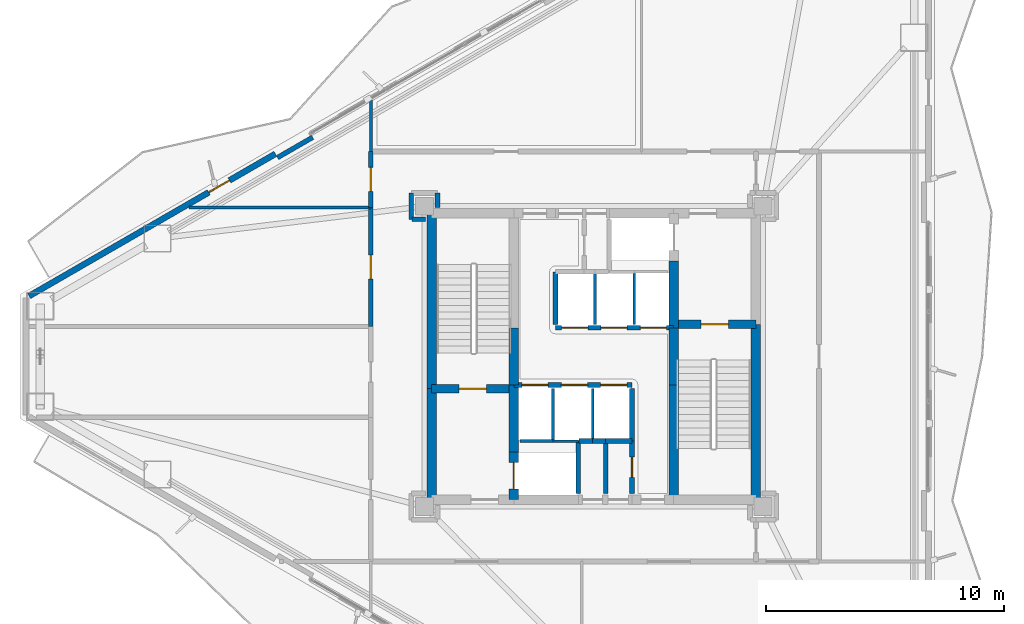
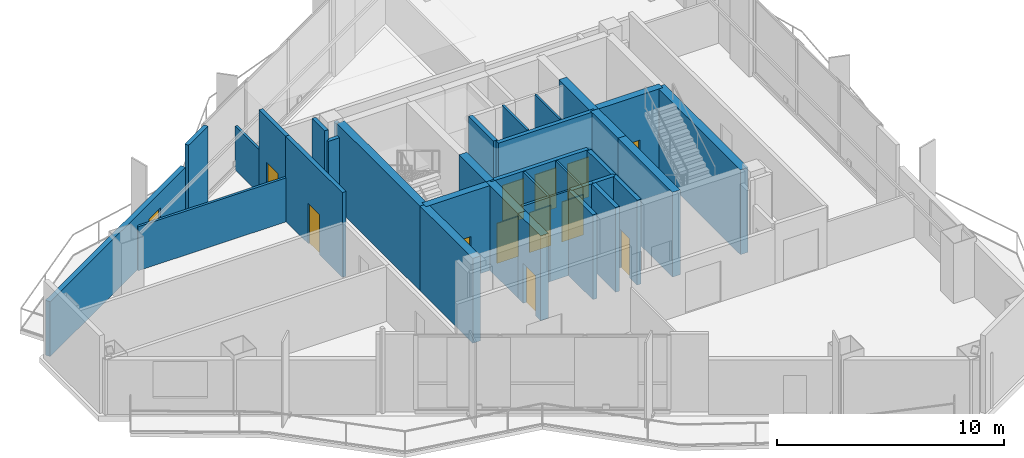
# One storey, part 15 of 20: 36 walls, 13 doors, 13 openings.
"""IFC4 building model written with IfcOpenShell, lengths in metres."""

from ifc_helpers import new_model, si_unit, direction, frame, frame_2d, origin, place, context, subcontext, project, spatial, rectangle, extrude, material, layer, layer_set, type_object, element, fill, save


model = new_model("IFC4")

# Units and contexts
model_context = context("Model", 3, precision=1e-05, world=origin(), true_north=direction((0.0, 1.0)))
body_context = subcontext(model_context, "Body", "Model", "MODEL_VIEW")
ifc_project = project(units=[si_unit("LENGTHUNIT", "METRE"), si_unit("AREAUNIT", "SQUARE_METRE"), si_unit("VOLUMEUNIT", "CUBIC_METRE"), si_unit("PLANEANGLEUNIT", "RADIAN"), si_unit("MASSUNIT", "GRAM", prefix="KILO")], contexts=[model_context])

# Site, building, storey
site_placement = place(None, origin())
site = spatial("IfcSite", under=ifc_project, at=site_placement, CompositionType="ELEMENT")
building_placement = place(site_placement, origin())
building = spatial("IfcBuilding", under=site, at=building_placement, Name="Mersakhor Tower and Convention Hall", CompositionType="ELEMENT")
storey_placement = place(building_placement, frame((0.0, 0.0, 116.39990234375)))
storey = spatial("IfcBuildingStorey", under=building, at=storey_placement, Name="L32", CompositionType="ELEMENT", Elevation=116.39990234375)

# Wall, opening, door
ifc_material_1 = material(Name="Precast concrete C40/50", Category="concrete")
ifc_layer_1 = layer(ifc_material_1, 0.25)
ifc_layer_set_1 = layer_set([ifc_layer_1], Name="Precast concrete C40/50")
wall_type_1 = type_object("IfcWallType", Name="WL-EXT-250", PredefinedType="SOLIDWALL", material=ifc_layer_set_1)
wall_1_placement = place(storey_placement, frame((5.316650390625, 29.2822265625, 0.0), z_axis=(0.0, 0.0, 1.0), x_axis=(0.866023023012, 0.500004123596, 0.0)))
wall_1 = element("IfcWall", 1, at=wall_1_placement, inside=storey, type_object=wall_type_1, Name="L32 Exterior Facade Wall F1-B1", PredefinedType="SOLIDWALL", context=body_context, shape_type="SweptSolid", body=[
    extrude(rectangle(XDim=11.9296875, YDim=0.25, at=frame_2d((5.96484375, 0.0))), origin(), (0.0, 0.0, 1.0), 2.945068359375),
])
opening_1_placement = place(wall_1_placement, frame((8.7041015625, 0.0, 0.0)))
opening_1 = element("IfcOpeningElement", 2, at=opening_1_placement, cuts=wall_1, Name="Opening BD-01", PredefinedType="OPENING", context=body_context, shape_type="SweptSolid", body=[
    extrude(rectangle(XDim=1.0, YDim=2.10009765625, at=frame_2d((0.5, 1.050048828125))), frame((0.0, 0.135009765625, 0.0), z_axis=(0.0, -1.0, 0.0), x_axis=(1.0, 0.0, 0.0)), (0.0, 0.0, 1.0), 0.27001953125),
])
ifc_material_2 = material(Name="Thermally broken dark aluminium and safety glass", Category="aluminium")
door_type_1 = type_object("IfcDoorType", Name="DR-BAL-100x210", OperationType="NOTDEFINED", PredefinedType="DOOR", material=ifc_material_2)
door_1_placement = place(opening_1_placement, origin())
door_1 = element("IfcDoor", 3, at=door_1_placement, inside=storey, type_object=door_type_1, Name="L32 Balcony Terrace Door F1-B1", OperationType="SINGLE_SWING_LEFT", OverallHeight=2.10009765625, OverallWidth=1.0, PredefinedType="DOOR", context=body_context, shape_type="SweptSolid", body=[
    extrude(rectangle(XDim=1.0, YDim=2.10009765625, at=frame_2d((0.5, 1.050048828125))), frame((0.0, 0.02490234375, 0.0), z_axis=(0.0, -1.0, 0.0), x_axis=(1.0, 0.0, 0.0)), (0.0, 0.0, 1.0), 0.050048828125),
])
fill(opening_1, door_1)

# Walls
ifc_material_3 = material(Name="Precast concrete C40/50", Category="concrete")
ifc_layer_2 = layer(ifc_material_3, 0.199951171875)
ifc_layer_set_2 = layer_set([ifc_layer_2], Name="Precast concrete C40/50")
wall_type_2 = type_object("IfcWallType", Name="WL-PAR-200", PredefinedType="PARAPET", material=ifc_layer_set_2)
wall_2_placement = place(storey_placement, frame((15.73779296875, 35.091064453125, 0.0), z_axis=(0.0, 0.0, 1.0), x_axis=(0.866025371046, 0.500000056704, 0.0)))
element("IfcWall", 4, at=wall_2_placement, inside=storey, type_object=wall_type_2, Name="L32 Column Pier Cladding Wall F1-C1", PredefinedType="PARAPET", context=body_context, shape_type="SweptSolid", body=[
    extrude(rectangle(XDim=1.7001953125, YDim=0.199951171875, at=frame_2d((0.85009765625, 0.0))), origin(), (0.0, 0.0, 1.0), 4.18017578125),
])
ifc_material_4 = material(Name="Lightweight gypsum partition", Category="other")
ifc_layer_3 = layer(ifc_material_4, 0.10009765625)
ifc_layer_set_3 = layer_set([ifc_layer_3], Name="Lightweight gypsum partition")
wall_type_3 = type_object("IfcWallType", Name="WL-PRT-100", PredefinedType="PARTITIONING", material=ifc_layer_set_3)
wall_3_placement = place(storey_placement, frame((27.300048828125, 23.199951171875, 0.0), z_axis=(0.0, 0.0, 1.0), x_axis=(1.0, 0.0, 0.0)))
element("IfcWall", 5, at=wall_3_placement, inside=storey, type_object=wall_type_3, Name="L32 Interior Partition Wall P-002", PredefinedType="PARTITIONING", context=body_context, shape_type="SweptSolid", body=[
    extrude(rectangle(XDim=1.050048828125, YDim=0.10009765625, at=frame_2d((0.52490234375, 0.0))), origin(), (0.0, 0.0, 1.0), 4.56005859375),
])
for number, where, z_axis, x_axis, name in (
    (6, (28.949951171875, 25.39990234375, 0.0), (0.0, 0.0, 1.0), (0.0, -1.0, 0.0), "L32 Interior Partition Wall P-008"),
    (7, (30.699951171875, 30.300048828125, 0.0), (0.0, 0.0, 1.0), (0.0, -1.0, 0.0), "L32 Interior Partition Wall P-018"),
):
    element("IfcWall", number, at=place(storey_placement, frame(where, z_axis=z_axis, x_axis=x_axis)), inside=storey, type_object=wall_type_3, Name=name, PredefinedType="PARTITIONING", context=body_context, shape_type="SweptSolid", body=[
        extrude(rectangle(XDim=2.199951171875, YDim=0.10009765625, at=frame_2d((1.10009765625, 0.0))), origin(), (0.0, 0.0, 1.0), 4.56005859375),
    ])
ifc_material_5 = material(Name="Gypsum board acoustic partition", Category="other")
ifc_layer_4 = layer(ifc_material_5, 0.125)
ifc_layer_set_4 = layer_set([ifc_layer_4], Name="Gypsum board acoustic partition")
wall_type_4 = type_object("IfcWallType", Name="WL-PRT-125", PredefinedType="PARTITIONING", material=ifc_layer_set_4)
wall_4_placement = place(storey_placement, frame((25.89990234375, 23.199951171875, 0.0), z_axis=(0.0, 0.0, 1.0), x_axis=(1.0, 0.0, 0.0)))
element("IfcWall", 8, at=wall_4_placement, inside=storey, type_object=wall_type_4, Name="L32 Interior Partition Wall P-001", PredefinedType="PARTITIONING", context=body_context, shape_type="SweptSolid", body=[
    extrude(rectangle(XDim=1.400146484375, YDim=0.125, at=frame_2d((0.7001953125, 0.0))), origin(), (0.0, 0.0, 1.0), 4.56005859375),
])
for number, where, z_axis, x_axis, name in (
    (9, (27.300048828125, 25.39990234375, 0.0), (0.0, 0.0, 1.0), (0.0, -1.0, 0.0), "L32 Interior Partition Wall P-007"),
    (10, (29.050048828125, 30.300048828125, 0.0), (0.0, 0.0, 1.0), (0.0, -1.0, 0.0), "L32 Interior Partition Wall P-015"),
):
    element("IfcWall", number, at=place(storey_placement, frame(where, z_axis=z_axis, x_axis=x_axis)), inside=storey, type_object=wall_type_4, Name=name, PredefinedType="PARTITIONING", context=body_context, shape_type="SweptSolid", body=[
        extrude(rectangle(XDim=2.199951171875, YDim=0.125, at=frame_2d((1.10009765625, 0.0))), origin(), (0.0, 0.0, 1.0), 4.56005859375),
    ])
wall_5_placement = place(storey_placement, frame((19.64990234375, 35.35009765625, 0.0), z_axis=(0.0, 0.0, 1.0), x_axis=(0.0, 1.0, 0.0)))
element("IfcWall", 11, at=wall_5_placement, inside=storey, type_object=wall_type_4, Name="L32 Interior Partition Wall P-057", PredefinedType="PARTITIONING", context=body_context, shape_type="SweptSolid", body=[
    extrude(rectangle(XDim=2.158935546875, YDim=0.125, at=frame_2d((1.07958984375, 0.0))), origin(), (0.0, 0.0, 1.0), 2.364990234375),
])
wall_6_placement = place(storey_placement, frame((12.02685546875, 33.0, 0.0), z_axis=(0.0, 0.0, 1.0), x_axis=(1.0, 0.0, 0.0)))
element("IfcWall", 12, at=wall_6_placement, inside=storey, type_object=wall_type_4, Name="L32 Interior Partition Wall P-065", PredefinedType="PARTITIONING", context=body_context, shape_type="SweptSolid", body=[
    extrude(rectangle(XDim=7.623046875, YDim=0.125, at=frame_2d((3.8115234375, 0.0))), origin(), (0.0, 0.0, 1.0), 2.364990234375),
])

# Wall, openings, doors
ifc_material_6 = material(Name="Acoustic concrete blockwork and gypsum board", Category="masonry")
ifc_layer_5 = layer(ifc_material_6, 0.199951171875)
ifc_layer_set_5 = layer_set([ifc_layer_5], Name="Acoustic concrete blockwork and gypsum board")
wall_type_5 = type_object("IfcWallType", Name="WL-PRT-200", PredefinedType="PARTITIONING", material=ifc_layer_set_5)
wall_7_placement = place(storey_placement, frame((25.64990234375, 25.550048828125, 0.0), z_axis=(0.0, 0.0, 1.0), x_axis=(1.0, 0.0, 0.0)))
wall_7 = element("IfcWall", 13, at=wall_7_placement, inside=storey, type_object=wall_type_5, Name="L32 High-Rise Lift Bank Front Wall", PredefinedType="PARTITIONING", context=body_context, shape_type="SweptSolid", body=[
    extrude(rectangle(XDim=4.9501953125, YDim=0.199951171875, at=frame_2d((2.47509765625, 0.0))), origin(), (0.0, 0.0, 1.0), 4.56005859375),
])
opening_2_placement = place(wall_7_placement, frame((0.340087890625, 0.0, 0.0)))
opening_2 = element("IfcOpeningElement", 14, at=opening_2_placement, cuts=wall_7, Name="Opening LD-P4", PredefinedType="OPENING", context=body_context, shape_type="SweptSolid", body=[
    extrude(rectangle(XDim=1.10009765625, YDim=2.14990234375, at=frame_2d((0.550048828125, 1.074951171875))), frame((0.0, 0.10986328125, 0.0), z_axis=(0.0, -1.0, 0.0), x_axis=(1.0, 0.0, 0.0)), (0.0, 0.0, 1.0), 0.219970703125),
])
opening_3_placement = place(wall_7_placement, frame((1.989990234375, 0.0, 0.0)))
opening_3 = element("IfcOpeningElement", 15, at=opening_3_placement, cuts=wall_7, Name="Opening LD-P5", PredefinedType="OPENING", context=body_context, shape_type="SweptSolid", body=[
    extrude(rectangle(XDim=1.10009765625, YDim=2.14990234375, at=frame_2d((0.550048828125, 1.074951171875))), frame((0.0, 0.10986328125, 0.0), z_axis=(0.0, -1.0, 0.0), x_axis=(1.0, 0.0, 0.0)), (0.0, 0.0, 1.0), 0.219970703125),
])
opening_4_placement = place(wall_7_placement, frame((3.639892578125, 0.0, 0.0)))
opening_4 = element("IfcOpeningElement", 16, at=opening_4_placement, cuts=wall_7, Name="Opening LD-P6", PredefinedType="OPENING", context=body_context, shape_type="SweptSolid", body=[
    extrude(rectangle(XDim=1.10009765625, YDim=2.14990234375, at=frame_2d((0.550048828125, 1.074951171875))), frame((0.0, 0.10986328125, 0.0), z_axis=(0.0, -1.0, 0.0), x_axis=(1.0, 0.0, 0.0)), (0.0, 0.0, 1.0), 0.219970703125),
])
ifc_material_7 = material(Name="Fire-rated brushed stainless steel sliding landing door", Category="steel")
door_type_2 = type_object("IfcDoorType", Name="DR-LIFT-SLD-110x215", OperationType="NOTDEFINED", PredefinedType="DOOR", material=ifc_material_7)
door_2_placement = place(opening_2_placement, origin())
door_2 = element("IfcDoor", 17, at=door_2_placement, inside=storey, type_object=door_type_2, Name="L32 Lift Landing Door LD-P4", OperationType="SLIDING_TO_LEFT", OverallHeight=2.14990234375, OverallWidth=1.10009765625, PredefinedType="DOOR", context=body_context, shape_type="SweptSolid", body=[
    extrude(rectangle(XDim=1.10009765625, YDim=2.14990234375, at=frame_2d((0.550048828125, 1.074951171875))), frame((0.0, 0.02490234375, 0.0), z_axis=(0.0, -1.0, 0.0), x_axis=(1.0, 0.0, 0.0)), (0.0, 0.0, 1.0), 0.050048828125),
])
fill(opening_2, door_2)
door_3_placement = place(opening_3_placement, origin())
door_3 = element("IfcDoor", 18, at=door_3_placement, inside=storey, type_object=door_type_2, Name="L32 Lift Landing Door LD-P5", OperationType="SLIDING_TO_LEFT", OverallHeight=2.14990234375, OverallWidth=1.10009765625, PredefinedType="DOOR", context=body_context, shape_type="SweptSolid", body=[
    extrude(rectangle(XDim=1.10009765625, YDim=2.14990234375, at=frame_2d((0.550048828125, 1.074951171875))), frame((0.0, 0.02490234375, 0.0), z_axis=(0.0, -1.0, 0.0), x_axis=(1.0, 0.0, 0.0)), (0.0, 0.0, 1.0), 0.050048828125),
])
fill(opening_3, door_3)
door_4_placement = place(opening_4_placement, origin())
door_4 = element("IfcDoor", 19, at=door_4_placement, inside=storey, type_object=door_type_2, Name="L32 Lift Landing Door LD-P6", OperationType="SLIDING_TO_LEFT", OverallHeight=2.14990234375, OverallWidth=1.10009765625, PredefinedType="DOOR", context=body_context, shape_type="SweptSolid", body=[
    extrude(rectangle(XDim=1.10009765625, YDim=2.14990234375, at=frame_2d((0.550048828125, 1.074951171875))), frame((0.0, 0.02490234375, 0.0), z_axis=(0.0, -1.0, 0.0), x_axis=(1.0, 0.0, 0.0)), (0.0, 0.0, 1.0), 0.050048828125),
])
fill(opening_4, door_4)

wall_8_placement = place(storey_placement, frame((27.39990234375, 27.949951171875, 0.0), z_axis=(0.0, 0.0, 1.0), x_axis=(1.0, 0.0, 0.0)))
wall_8 = element("IfcWall", 20, at=wall_8_placement, inside=storey, type_object=wall_type_5, Name="L32 Low-Rise Lift Bank Front Wall", PredefinedType="PARTITIONING", context=body_context, shape_type="SweptSolid", body=[
    extrude(rectangle(XDim=4.9501953125, YDim=0.199951171875, at=frame_2d((2.47509765625, 0.0))), origin(), (0.0, 0.0, 1.0), 4.56005859375),
])
opening_5_placement = place(wall_8_placement, frame((0.25, 0.0, 0.0)))
opening_5 = element("IfcOpeningElement", 21, at=opening_5_placement, cuts=wall_8, Name="Opening LD-P1", PredefinedType="OPENING", context=body_context, shape_type="SweptSolid", body=[
    extrude(rectangle(XDim=1.10009765625, YDim=2.14990234375, at=frame_2d((0.550048828125, 1.074951171875))), frame((0.0, 0.10986328125, 0.0), z_axis=(0.0, -1.0, 0.0), x_axis=(1.0, 0.0, 0.0)), (0.0, 0.0, 1.0), 0.219970703125),
])
opening_6_placement = place(wall_8_placement, frame((1.89990234375, 0.0, 0.0)))
opening_6 = element("IfcOpeningElement", 22, at=opening_6_placement, cuts=wall_8, Name="Opening LD-P2", PredefinedType="OPENING", context=body_context, shape_type="SweptSolid", body=[
    extrude(rectangle(XDim=1.10009765625, YDim=2.14990234375, at=frame_2d((0.550048828125, 1.074951171875))), frame((0.0, 0.10986328125, 0.0), z_axis=(0.0, -1.0, 0.0), x_axis=(1.0, 0.0, 0.0)), (0.0, 0.0, 1.0), 0.219970703125),
])
opening_7_placement = place(wall_8_placement, frame((3.550048828125, 0.0, 0.0)))
opening_7 = element("IfcOpeningElement", 23, at=opening_7_placement, cuts=wall_8, Name="Opening LD-P3", PredefinedType="OPENING", context=body_context, shape_type="SweptSolid", body=[
    extrude(rectangle(XDim=1.10009765625, YDim=2.14990234375, at=frame_2d((0.550048828125, 1.074951171875))), frame((0.0, 0.10986328125, 0.0), z_axis=(0.0, -1.0, 0.0), x_axis=(1.0, 0.0, 0.0)), (0.0, 0.0, 1.0), 0.219970703125),
])
door_5_placement = place(opening_5_placement, origin())
door_5 = element("IfcDoor", 24, at=door_5_placement, inside=storey, type_object=door_type_2, Name="L32 Lift Landing Door LD-P1", OperationType="SLIDING_TO_LEFT", OverallHeight=2.14990234375, OverallWidth=1.10009765625, PredefinedType="DOOR", context=body_context, shape_type="SweptSolid", body=[
    extrude(rectangle(XDim=1.10009765625, YDim=2.14990234375, at=frame_2d((0.550048828125, 1.074951171875))), frame((0.0, 0.02490234375, 0.0), z_axis=(0.0, -1.0, 0.0), x_axis=(1.0, 0.0, 0.0)), (0.0, 0.0, 1.0), 0.050048828125),
])
fill(opening_5, door_5)
door_6_placement = place(opening_6_placement, origin())
door_6 = element("IfcDoor", 25, at=door_6_placement, inside=storey, type_object=door_type_2, Name="L32 Lift Landing Door LD-P2", OperationType="SLIDING_TO_LEFT", OverallHeight=2.14990234375, OverallWidth=1.10009765625, PredefinedType="DOOR", context=body_context, shape_type="SweptSolid", body=[
    extrude(rectangle(XDim=1.10009765625, YDim=2.14990234375, at=frame_2d((0.550048828125, 1.074951171875))), frame((0.0, 0.02490234375, 0.0), z_axis=(0.0, -1.0, 0.0), x_axis=(1.0, 0.0, 0.0)), (0.0, 0.0, 1.0), 0.050048828125),
])
fill(opening_6, door_6)
door_7_placement = place(opening_7_placement, origin())
door_7 = element("IfcDoor", 26, at=door_7_placement, inside=storey, type_object=door_type_2, Name="L32 Lift Landing Door LD-P3", OperationType="SLIDING_TO_LEFT", OverallHeight=2.14990234375, OverallWidth=1.10009765625, PredefinedType="DOOR", context=body_context, shape_type="SweptSolid", body=[
    extrude(rectangle(XDim=1.10009765625, YDim=2.14990234375, at=frame_2d((0.550048828125, 1.074951171875))), frame((0.0, 0.02490234375, 0.0), z_axis=(0.0, -1.0, 0.0), x_axis=(1.0, 0.0, 0.0)), (0.0, 0.0, 1.0), 0.050048828125),
])
fill(opening_7, door_7)

# Walls
wall_9_placement = place(storey_placement, frame((28.35009765625, 23.199951171875, 0.0), z_axis=(0.0, 0.0, 1.0), x_axis=(0.0, -1.0, 0.0)))
element("IfcWall", 27, at=wall_9_placement, inside=storey, type_object=wall_type_5, Name="L32 Interior Partition Wall P-003", PredefinedType="PARTITIONING", context=body_context, shape_type="SweptSolid", body=[
    extrude(rectangle(XDim=2.199951171875, YDim=0.199951171875, at=frame_2d((1.10009765625, 0.0))), origin(), (0.0, 0.0, 1.0), 4.56005859375),
])
wall_10_placement = place(storey_placement, frame((28.949951171875, 23.199951171875, 0.0), z_axis=(0.0, 0.0, 1.0), x_axis=(-1.0, 0.0, 0.0)))
element("IfcWall", 28, at=wall_10_placement, inside=storey, type_object=wall_type_5, Name="L32 Interior Partition Wall P-009", PredefinedType="PARTITIONING", context=body_context, shape_type="SweptSolid", body=[
    extrude(rectangle(XDim=0.570068359375, YDim=0.199951171875, at=frame_2d((0.28515625, 0.0))), origin(), (0.0, 0.0, 1.0), 4.56005859375),
])
wall_11_placement = place(storey_placement, frame((30.60009765625, 25.39990234375, 0.0), z_axis=(0.0, 0.0, 1.0), x_axis=(0.0, -1.0, 0.0)))
element("IfcWall", 29, at=wall_11_placement, inside=storey, type_object=wall_type_5, Name="L32 Interior Partition Wall P-010", PredefinedType="PARTITIONING", context=body_context, shape_type="SweptSolid", body=[
    extrude(rectangle(XDim=2.199951171875, YDim=0.199951171875, at=frame_2d((1.10009765625, 0.0))), origin(), (0.0, 0.0, 1.0), 4.56005859375),
])
wall_12_placement = place(storey_placement, frame((30.60009765625, 23.199951171875, 0.0), z_axis=(0.0, 0.0, 1.0), x_axis=(-1.0, 0.0, 0.0)))
element("IfcWall", 30, at=wall_12_placement, inside=storey, type_object=wall_type_5, Name="L32 Interior Partition Wall P-011", PredefinedType="PARTITIONING", context=body_context, shape_type="SweptSolid", body=[
    extrude(rectangle(XDim=1.10009765625, YDim=0.199951171875, at=frame_2d((0.550048828125, 0.0))), origin(), (0.0, 0.0, 1.0), 4.56005859375),
])
wall_13_placement = place(storey_placement, frame((29.5, 23.199951171875, 0.0), z_axis=(0.0, 0.0, 1.0), x_axis=(-1.0, 0.0, 0.0)))
element("IfcWall", 31, at=wall_13_placement, inside=storey, type_object=wall_type_5, Name="L32 Interior Partition Wall P-012", PredefinedType="PARTITIONING", context=body_context, shape_type="SweptSolid", body=[
    extrude(rectangle(XDim=0.550048828125, YDim=0.199951171875, at=frame_2d((0.27490234375, 0.0))), origin(), (0.0, 0.0, 1.0), 4.56005859375),
])
wall_14_placement = place(storey_placement, frame((27.39990234375, 28.10009765625, 0.0), z_axis=(0.0, 0.0, 1.0), x_axis=(0.0, 1.0, 0.0)))
element("IfcWall", 32, at=wall_14_placement, inside=storey, type_object=wall_type_5, Name="L32 Interior Partition Wall P-016", PredefinedType="PARTITIONING", context=body_context, shape_type="SweptSolid", body=[
    extrude(rectangle(XDim=2.199951171875, YDim=0.199951171875, at=frame_2d((1.10009765625, 0.0))), origin(), (0.0, 0.0, 1.0), 4.56005859375),
])

# Wall, opening, door
wall_15_placement = place(storey_placement, frame((30.60009765625, 21.0, 0.0), z_axis=(0.0, 0.0, 1.0), x_axis=(0.0, 1.0, 0.0)))
wall_15 = element("IfcWall", 33, at=wall_15_placement, inside=storey, type_object=wall_type_5, Name="L32 Interior Partition Wall P-019", PredefinedType="PARTITIONING", context=body_context, shape_type="SweptSolid", body=[
    extrude(rectangle(XDim=2.199951171875, YDim=0.199951171875, at=frame_2d((1.10009765625, 0.0))), origin(), (0.0, 0.0, 1.0), 4.56005859375),
])
opening_8_placement = place(wall_15_placement, frame((0.675048828125, 0.0, 0.0)))
opening_8 = element("IfcOpeningElement", 34, at=opening_8_placement, cuts=wall_15, Name="Opening SVD-01", PredefinedType="OPENING", context=body_context, shape_type="SweptSolid", body=[
    extrude(rectangle(XDim=0.85009765625, YDim=2.10009765625, at=frame_2d((0.425048828125, 1.050048828125))), frame((0.0, 0.10986328125, 0.0), z_axis=(0.0, -1.0, 0.0), x_axis=(1.0, 0.0, 0.0)), (0.0, 0.0, 1.0), 0.219970703125),
])
ifc_material_8 = material(Name="Fire-rated hardwood leaf and painted steel frame", Category="steel")
door_type_3 = type_object("IfcDoorType", Name="DR-INT-SVC-085x210", OperationType="NOTDEFINED", PredefinedType="DOOR", material=ifc_material_8)
door_8_placement = place(opening_8_placement, origin())
door_8 = element("IfcDoor", 35, at=door_8_placement, inside=storey, type_object=door_type_3, Name="L32 Central Passenger Lift Lobby to Refuse and Recycling Room Door", OperationType="SINGLE_SWING_RIGHT", OverallHeight=2.10009765625, OverallWidth=0.85009765625, PredefinedType="DOOR", context=body_context, shape_type="SweptSolid", body=[
    extrude(rectangle(XDim=0.85009765625, YDim=2.10009765625, at=frame_2d((0.425048828125, 1.050048828125))), frame((0.0, 0.02490234375, 0.0), z_axis=(0.0, -1.0, 0.0), x_axis=(1.0, 0.0, 0.0)), (0.0, 0.0, 1.0), 0.050048828125),
])
fill(opening_8, door_8)

wall_16_placement = place(storey_placement, frame((19.64990234375, 28.0, 0.0), z_axis=(0.0, 0.0, 1.0), x_axis=(0.0, 1.0, 0.0)))
wall_16 = element("IfcWall", 36, at=wall_16_placement, inside=storey, type_object=wall_type_5, Name="L32 Interior Partition Wall P-030", PredefinedType="PARTITIONING", context=body_context, shape_type="SweptSolid", body=[
    extrude(rectangle(XDim=5.0, YDim=0.199951171875, at=frame_2d((2.5, 0.0))), origin(), (0.0, 0.0, 1.0), 4.56005859375),
])
opening_9_placement = place(wall_16_placement, frame((2.0, 0.0, 0.0)))
opening_9 = element("IfcOpeningElement", 37, at=opening_9_placement, cuts=wall_16, Name="Opening FD-01", PredefinedType="OPENING", context=body_context, shape_type="SweptSolid", body=[
    extrude(rectangle(XDim=1.0, YDim=2.14990234375, at=frame_2d((0.5, 1.074951171875))), frame((0.0, 0.10986328125, 0.0), z_axis=(0.0, -1.0, 0.0), x_axis=(1.0, 0.0, 0.0)), (0.0, 0.0, 1.0), 0.219970703125),
])
ifc_material_9 = material(Name="Fire-rated hardwood leaf and painted steel frame", Category="steel")
door_type_4 = type_object("IfcDoorType", Name="DR-INT-FLT-100x215", OperationType="NOTDEFINED", PredefinedType="DOOR", material=ifc_material_9)
door_9_placement = place(opening_9_placement, origin())
door_9 = element("IfcDoor", 38, at=door_9_placement, inside=storey, type_object=door_type_4, Name="L32 L32 Sky-Lobby Corridor to Quiet Focus Work Room 1 Door", OperationType="SINGLE_SWING_LEFT", OverallHeight=2.14990234375, OverallWidth=1.0, PredefinedType="DOOR", context=body_context, shape_type="SweptSolid", body=[
    extrude(rectangle(XDim=1.0, YDim=2.14990234375, at=frame_2d((0.5, 1.074951171875))), frame((0.0, 0.02490234375, 0.0), z_axis=(0.0, -1.0, 0.0), x_axis=(1.0, 0.0, 0.0)), (0.0, 0.0, 1.0), 0.050048828125),
])
fill(opening_9, door_9)

wall_17_placement = place(storey_placement, frame((19.64990234375, 33.0, 0.0), z_axis=(0.0, 0.0, 1.0), x_axis=(0.0, 1.0, 0.0)))
wall_17 = element("IfcWall", 39, at=wall_17_placement, inside=storey, type_object=wall_type_5, Name="L32 Interior Partition Wall P-031", PredefinedType="PARTITIONING", context=body_context, shape_type="SweptSolid", body=[
    extrude(rectangle(XDim=2.35009765625, YDim=0.199951171875, at=frame_2d((1.175048828125, 0.0))), origin(), (0.0, 0.0, 1.0), 4.56005859375),
])
opening_10_placement = place(wall_17_placement, frame((0.675048828125, 0.0, 0.0)))
opening_10 = element("IfcOpeningElement", 40, at=opening_10_placement, cuts=wall_17, Name="Opening FD-01", PredefinedType="OPENING", context=body_context, shape_type="SweptSolid", body=[
    extrude(rectangle(XDim=1.0, YDim=2.14990234375, at=frame_2d((0.5, 1.074951171875))), frame((0.0, 0.10986328125, 0.0), z_axis=(0.0, -1.0, 0.0), x_axis=(1.0, 0.0, 0.0)), (0.0, 0.0, 1.0), 0.219970703125),
])
door_10_placement = place(opening_10_placement, origin())
door_10 = element("IfcDoor", 41, at=door_10_placement, inside=storey, type_object=door_type_4, Name="L32 L32 Sky-Lobby Corridor to Sky-Lobby Observation Lounge Door", OperationType="SINGLE_SWING_RIGHT", OverallHeight=2.14990234375, OverallWidth=1.0, PredefinedType="DOOR", context=body_context, shape_type="SweptSolid", body=[
    extrude(rectangle(XDim=1.0, YDim=2.14990234375, at=frame_2d((0.5, 1.074951171875))), frame((0.0, 0.02490234375, 0.0), z_axis=(0.0, -1.0, 0.0), x_axis=(1.0, 0.0, 0.0)), (0.0, 0.0, 1.0), 0.050048828125),
])
fill(opening_10, door_10)

# Walls
wall_18_placement = place(storey_placement, frame((22.449951171875, 33.0, 0.0), z_axis=(0.0, 0.0, 1.0), x_axis=(0.0, 1.0, 0.0)))
element("IfcWall", 42, at=wall_18_placement, inside=storey, type_object=wall_type_5, Name="L32 Interior Partition Wall P-037", PredefinedType="PARTITIONING", context=body_context, shape_type="SweptSolid", body=[
    extrude(rectangle(XDim=0.60009765625, YDim=0.199951171875, at=frame_2d((0.300048828125, 0.0))), origin(), (0.0, 0.0, 1.0), 4.00830078125),
])
wall_19_placement = place(storey_placement, frame((21.35009765625, 33.60009765625, 0.0), z_axis=(0.0, 0.0, 1.0), x_axis=(0.0, -1.0, 0.0)))
element("IfcWall", 43, at=wall_19_placement, inside=storey, type_object=wall_type_5, Name="L32 Interior Partition Wall P-039", PredefinedType="PARTITIONING", context=body_context, shape_type="SweptSolid", body=[
    extrude(rectangle(XDim=1.10009765625, YDim=0.199951171875, at=frame_2d((0.550048828125, 0.0))), origin(), (0.0, 0.0, 1.0), 4.56005859375),
])
wall_20_placement = place(storey_placement, frame((21.3798828125, 32.5, 0.0), z_axis=(0.0, 0.0, 1.0), x_axis=(1.0, 0.0, 0.0)))
element("IfcWall", 44, at=wall_20_placement, inside=storey, type_object=wall_type_5, Name="L32 Interior Partition Wall P-040", PredefinedType="PARTITIONING", context=body_context, shape_type="SweptSolid", body=[
    extrude(rectangle(XDim=0.570068359375, YDim=0.199951171875, at=frame_2d((0.28515625, 0.0))), origin(), (0.0, 0.0, 1.0), 4.00830078125),
])
wall_21_placement = place(storey_placement, frame((29.5, 23.199951171875, 0.0), z_axis=(0.0, 0.0, 1.0), x_axis=(0.0, -1.0, 0.0)))
element("IfcWall", 45, at=wall_21_placement, inside=storey, type_object=wall_type_5, Name="L32 Interior Partition Wall P-056", PredefinedType="PARTITIONING", context=body_context, shape_type="SweptSolid", body=[
    extrude(rectangle(XDim=2.199951171875, YDim=0.199951171875, at=frame_2d((1.10009765625, 0.0))), origin(), (0.0, 0.0, 1.0), 4.56005859375),
])

# Wall, opening, door
ifc_material_10 = material(Name="Concrete C50/60", Category="concrete")
ifc_layer_6 = layer(ifc_material_10, 0.35009765625)
ifc_layer_set_6 = layer_set([ifc_layer_6], Name="Concrete C50/60")
wall_type_6 = type_object("IfcWallType", Name="WL-SHR-350", PredefinedType="SHEAR", material=ifc_layer_set_6)
wall_22_placement = place(storey_placement, frame((22.199951171875, 25.39990234375, 0.0), z_axis=(0.0, 0.0, 1.0), x_axis=(1.0, 0.0, 0.0)))
wall_22 = element("IfcWall", 46, at=wall_22_placement, inside=storey, type_object=wall_type_6, Name="L32 Core Wall CS-ST1-S", PredefinedType="SHEAR", context=body_context, shape_type="SweptSolid", body=[
    extrude(rectangle(XDim=3.449951171875, YDim=0.35009765625, at=frame_2d((1.72509765625, 0.0))), origin(), (0.0, 0.0, 1.0), 4.56005859375),
])
opening_11_placement = place(wall_22_placement, frame((1.14990234375, 0.0, 0.0)))
opening_11 = element("IfcOpeningElement", 47, at=opening_11_placement, cuts=wall_22, Name="Opening SD-01", PredefinedType="OPENING", context=body_context, shape_type="SweptSolid", body=[
    extrude(rectangle(XDim=1.14990234375, YDim=2.14990234375, at=frame_2d((0.574951171875, 1.074951171875))), frame((0.0, 0.18505859375, 0.0), z_axis=(0.0, -1.0, 0.0), x_axis=(1.0, 0.0, 0.0)), (0.0, 0.0, 1.0), 0.3701171875),
])
ifc_material_11 = material(Name="Fire-rated hardwood leaf and painted steel frame", Category="steel")
door_type_5 = type_object("IfcDoorType", Name="DR-INT-STAIR-115x215", OperationType="NOTDEFINED", PredefinedType="DOOR", material=ifc_material_11)
door_11_placement = place(opening_11_placement, origin())
door_11 = element("IfcDoor", 48, at=door_11_placement, inside=storey, type_object=door_type_5, Name="L32 Exit Stair ST-1 Enclosure Door", OperationType="SINGLE_SWING_LEFT", OverallHeight=2.14990234375, OverallWidth=1.14990234375, PredefinedType="DOOR", context=body_context, shape_type="SweptSolid", body=[
    extrude(rectangle(XDim=1.14990234375, YDim=2.14990234375, at=frame_2d((0.574951171875, 1.074951171875))), frame((0.0, 0.02490234375, 0.0), z_axis=(0.0, -1.0, 0.0), x_axis=(1.0, 0.0, 0.0)), (0.0, 0.0, 1.0), 0.050048828125),
])
fill(opening_11, door_11)

wall_23_placement = place(storey_placement, frame((32.35009765625, 28.10009765625, 0.0), z_axis=(0.0, 0.0, 1.0), x_axis=(1.0, 0.0, 0.0)))
wall_23 = element("IfcWall", 49, at=wall_23_placement, inside=storey, type_object=wall_type_6, Name="L32 Core Wall CS-ST2-N", PredefinedType="SHEAR", context=body_context, shape_type="SweptSolid", body=[
    extrude(rectangle(XDim=3.449951171875, YDim=0.35009765625, at=frame_2d((1.72509765625, 0.0))), origin(), (0.0, 0.0, 1.0), 4.56005859375),
])
opening_12_placement = place(wall_23_placement, frame((1.14990234375, 0.0, 0.0)))
opening_12 = element("IfcOpeningElement", 50, at=opening_12_placement, cuts=wall_23, Name="Opening SD-01", PredefinedType="OPENING", context=body_context, shape_type="SweptSolid", body=[
    extrude(rectangle(XDim=1.14990234375, YDim=2.14990234375, at=frame_2d((0.574951171875, 1.074951171875))), frame((0.0, 0.18505859375, 0.0), z_axis=(0.0, -1.0, 0.0), x_axis=(1.0, 0.0, 0.0)), (0.0, 0.0, 1.0), 0.3701171875),
])
door_12_placement = place(opening_12_placement, origin())
door_12 = element("IfcDoor", 51, at=door_12_placement, inside=storey, type_object=door_type_5, Name="L32 Exit Stair ST-2 Enclosure Door", OperationType="SINGLE_SWING_RIGHT", OverallHeight=2.14990234375, OverallWidth=1.14990234375, PredefinedType="DOOR", context=body_context, shape_type="SweptSolid", body=[
    extrude(rectangle(XDim=1.14990234375, YDim=2.14990234375, at=frame_2d((0.574951171875, 1.074951171875))), frame((0.0, 0.02490234375, 0.0), z_axis=(0.0, -1.0, 0.0), x_axis=(1.0, 0.0, 0.0)), (0.0, 0.0, 1.0), 0.050048828125),
])
fill(opening_12, door_12)

# Walls
ifc_material_12 = material(Name="Concrete C60/75", Category="concrete")
ifc_layer_7 = layer(ifc_material_12, 0.39990234375)
ifc_layer_set_7 = layer_set([ifc_layer_7], Name="Concrete C60/75")
wall_type_7 = type_object("IfcWallType", Name="WL-SHR-400", PredefinedType="SHEAR", material=ifc_layer_set_7)
wall_24_placement = place(storey_placement, frame((22.199951171875, 20.75, 0.0), z_axis=(0.0, 0.0, 1.0), x_axis=(0.0, 1.0, 0.0)))
element("IfcWall", 52, at=wall_24_placement, inside=storey, type_object=wall_type_7, Name="L32 Core Wall CW-W1", PredefinedType="SHEAR", context=body_context, shape_type="SweptSolid", body=[
    extrude(rectangle(XDim=4.64990234375, YDim=0.39990234375, at=frame_2d((2.324951171875, 0.0))), origin(), (0.0, 0.0, 1.0), 4.56005859375),
])
for number, where, z_axis, x_axis, name in (
    (53, (22.199951171875, 25.39990234375, 0.0), (0.0, 0.0, 1.0), (0.0, 1.0, 0.0), "L32 Core Wall CW-W2"),
    (54, (35.800048828125, 28.10009765625, 0.0), (0.0, 0.0, 1.0), (0.0, -1.0, 0.0), "L32 Core Wall CW-E2"),
):
    element("IfcWall", number, at=place(storey_placement, frame(where, z_axis=z_axis, x_axis=x_axis)), inside=storey, type_object=wall_type_7, Name=name, PredefinedType="SHEAR", context=body_context, shape_type="SweptSolid", body=[
        extrude(rectangle(XDim=7.35009765625, YDim=0.39990234375, at=frame_2d((3.675048828125, 0.0))), origin(), (0.0, 0.0, 1.0), 4.56005859375),
    ])

# Wall, opening, door
wall_25_placement = place(storey_placement, frame((25.64990234375, 20.75, 0.0), z_axis=(0.0, 0.0, 1.0), x_axis=(0.0, 1.0, 0.0)))
wall_25 = element("IfcWall", 55, at=wall_25_placement, inside=storey, type_object=wall_type_7, Name="L32 Core Wall CS-W-FFL", PredefinedType="SHEAR", context=body_context, shape_type="SweptSolid", body=[
    extrude(rectangle(XDim=2.0, YDim=0.39990234375, at=frame_2d((1.0, 0.0))), origin(), (0.0, 0.0, 1.0), 4.56005859375),
])
opening_13_placement = place(wall_25_placement, frame((0.449951171875, 0.0, 0.0)))
opening_13 = element("IfcOpeningElement", 56, at=opening_13_placement, cuts=wall_25, Name="Opening LD-FFL1", PredefinedType="OPENING", context=body_context, shape_type="SweptSolid", body=[
    extrude(rectangle(XDim=1.10009765625, YDim=2.14990234375, at=frame_2d((0.550048828125, 1.074951171875))), frame((0.0, 0.2099609375, 0.0), z_axis=(0.0, -1.0, 0.0), x_axis=(1.0, 0.0, 0.0)), (0.0, 0.0, 1.0), 0.419921875),
])
door_13_placement = place(opening_13_placement, origin())
door_13 = element("IfcDoor", 57, at=door_13_placement, inside=storey, type_object=door_type_2, Name="L32 Firefighting Lift Landing Door LD-FFL1", OperationType="SLIDING_TO_LEFT", OverallHeight=2.14990234375, OverallWidth=1.10009765625, PredefinedType="DOOR", context=body_context, shape_type="SweptSolid", body=[
    extrude(rectangle(XDim=1.10009765625, YDim=2.14990234375, at=frame_2d((0.550048828125, 1.074951171875))), frame((0.0, 0.02490234375, 0.0), z_axis=(0.0, -1.0, 0.0), x_axis=(1.0, 0.0, 0.0)), (0.0, 0.0, 1.0), 0.050048828125),
])
fill(opening_13, door_13)

# Walls
wall_26_placement = place(storey_placement, frame((25.64990234375, 22.75, 0.0), z_axis=(0.0, 0.0, 1.0), x_axis=(0.0, 1.0, 0.0)))
element("IfcWall", 58, at=wall_26_placement, inside=storey, type_object=wall_type_7, Name="L32 Core Wall CS-W-MID", PredefinedType="SHEAR", context=body_context, shape_type="SweptSolid", body=[
    extrude(rectangle(XDim=2.800048828125, YDim=0.39990234375, at=frame_2d((1.39990234375, 0.0))), origin(), (0.0, 0.0, 1.0), 4.56005859375),
])
wall_27_placement = place(storey_placement, frame((25.64990234375, 25.550048828125, 0.0), z_axis=(0.0, 0.0, 1.0), x_axis=(0.0, 1.0, 0.0)))
element("IfcWall", 59, at=wall_27_placement, inside=storey, type_object=wall_type_7, Name="L32 Core Wall CS-W-LOB", PredefinedType="SHEAR", context=body_context, shape_type="SweptSolid", body=[
    extrude(rectangle(XDim=2.39990234375, YDim=0.39990234375, at=frame_2d((1.199951171875, 0.0))), origin(), (0.0, 0.0, 1.0), 4.56005859375),
])
wall_28_placement = place(storey_placement, frame((32.35009765625, 20.75, 0.0), z_axis=(0.0, 0.0, 1.0), x_axis=(0.0, 1.0, 0.0)))
element("IfcWall", 60, at=wall_28_placement, inside=storey, type_object=wall_type_7, Name="L32 Core Wall CS-E-ST2", PredefinedType="SHEAR", context=body_context, shape_type="SweptSolid", body=[
    extrude(rectangle(XDim=4.800048828125, YDim=0.39990234375, at=frame_2d((2.39990234375, 0.0))), origin(), (0.0, 0.0, 1.0), 4.56005859375),
])
wall_29_placement = place(storey_placement, frame((32.35009765625, 25.550048828125, 0.0), z_axis=(0.0, 0.0, 1.0), x_axis=(0.0, 1.0, 0.0)))
element("IfcWall", 61, at=wall_29_placement, inside=storey, type_object=wall_type_7, Name="L32 Core Wall CS-E-LOB", PredefinedType="SHEAR", context=body_context, shape_type="SweptSolid", body=[
    extrude(rectangle(XDim=2.39990234375, YDim=0.39990234375, at=frame_2d((1.199951171875, 0.0))), origin(), (0.0, 0.0, 1.0), 4.56005859375),
])
wall_30_placement = place(storey_placement, frame((32.35009765625, 27.949951171875, 0.0), z_axis=(0.0, 0.0, 1.0), x_axis=(0.0, 1.0, 0.0)))
element("IfcWall", 62, at=wall_30_placement, inside=storey, type_object=wall_type_7, Name="L32 Core Wall CS-E-MID", PredefinedType="SHEAR", context=body_context, shape_type="SweptSolid", body=[
    extrude(rectangle(XDim=2.800048828125, YDim=0.39990234375, at=frame_2d((1.39990234375, 0.0))), origin(), (0.0, 0.0, 1.0), 4.56005859375),
])

save(model, "model.ifc")
